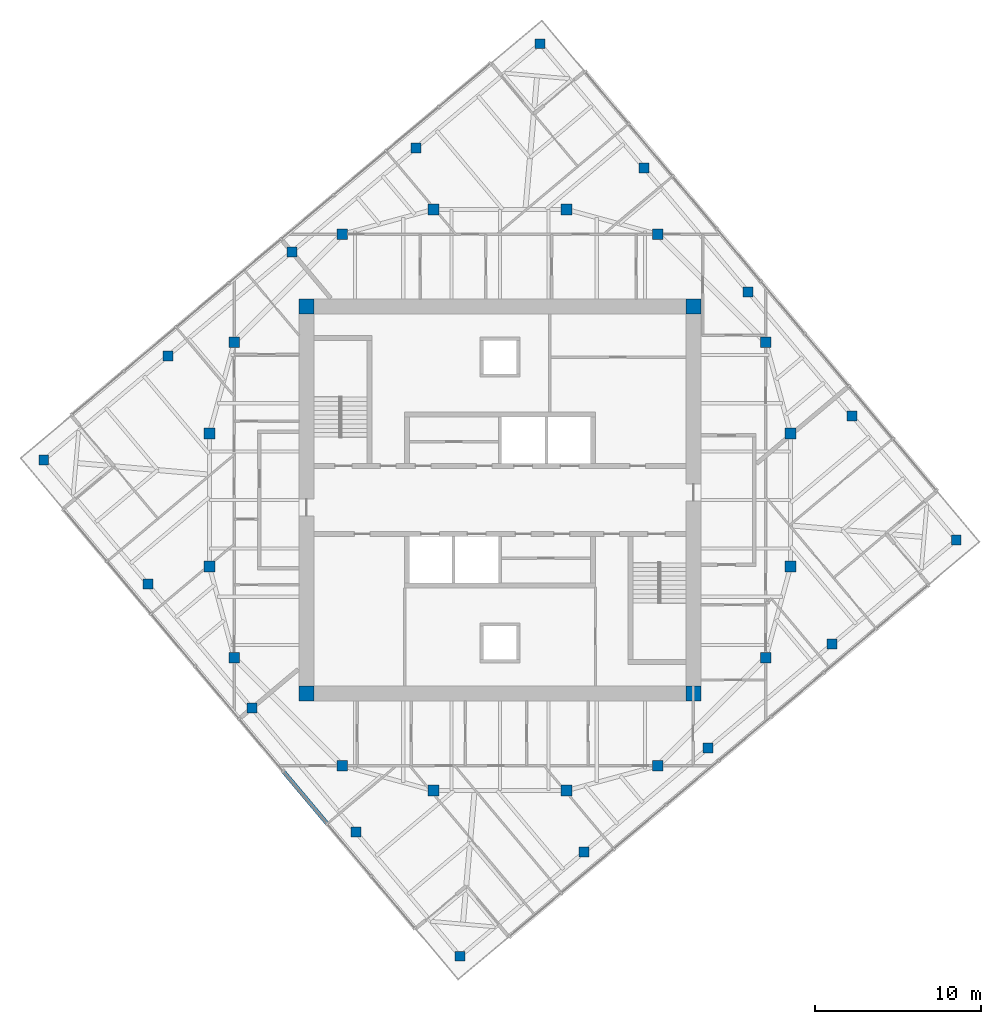
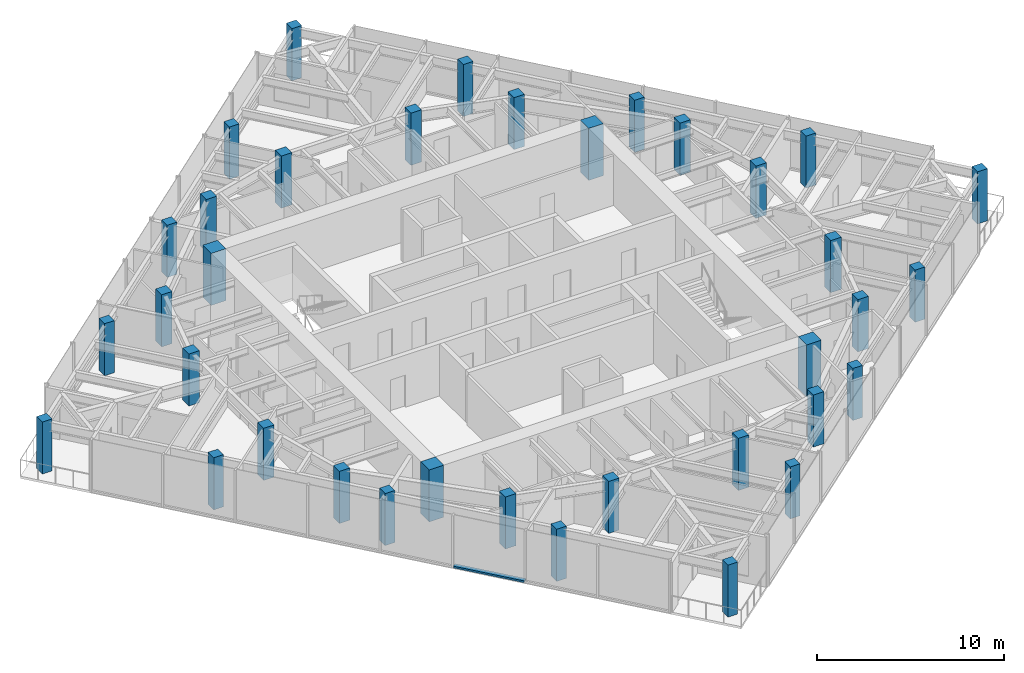
# One storey, part 1 of 12: 36 columns, 1 member, 1 element without a shape of its own.
"""IFC4 building model written with IfcOpenShell, lengths in metres."""

from ifc_helpers import new_model, si_unit, direction, frame, origin, origin_2d, place, context, subcontext, project, spatial, rectangle, extrude, material, material_profile, profile_set, type_object, element, aggregate, save


model = new_model("IFC4")

# Units and contexts
model_context = context("Model", 3, precision=1e-05, world=origin(), true_north=direction((0.0, 1.0)))
body_context = subcontext(model_context, "Body", "Model", "MODEL_VIEW")
ifc_project = project(units=[si_unit("LENGTHUNIT", "METRE"), si_unit("AREAUNIT", "SQUARE_METRE"), si_unit("VOLUMEUNIT", "CUBIC_METRE"), si_unit("PLANEANGLEUNIT", "RADIAN"), si_unit("MASSUNIT", "GRAM", prefix="KILO")], contexts=[model_context])

# Site, building, storey
site_placement = place(None, origin())
site = spatial("IfcSite", under=ifc_project, at=site_placement, CompositionType="ELEMENT")
building_placement = place(site_placement, origin())
building = spatial("IfcBuilding", under=site, at=building_placement, Name="Torsade Residences", CompositionType="ELEMENT")
storey_placement = place(building_placement, frame((0.0, 0.0, 286.199951171875)))
storey = spatial("IfcBuildingStorey", under=building, at=storey_placement, Name="L79", CompositionType="ELEMENT", Elevation=286.199951171875)

# Columns
ifc_material_1 = material(Name="Concrete 80 MPa", Category="concrete")
ifc_material_profile_1 = material_profile(ifc_material_1, rectangle(XDim=0.89990234375, YDim=0.89990234375, at=origin_2d()), Name="RC 900x900")
ifc_profile_set_1 = profile_set([ifc_material_profile_1], Name="Concrete 80 MPa")
column_type_1 = type_object("IfcColumnType", Name="CORE CORNER COLUMN RC 900x900", PredefinedType="COLUMN", material=ifc_profile_set_1)
for number, where, z_axis, x_axis, name in (
    (1, (28.35009765625, 18.35009765625, 0.0), (0.0, 0.0, 1.0), (1.0, 0.0, 0.0), "Core corner column CC1 L79"),
    (2, (51.64990234375, 18.35009765625, 0.0), (0.0, 0.0, 1.0), (1.0, 0.0, 0.0), "Core corner column CC2 L79"),
    (3, (51.64990234375, 41.64990234375, 0.0), (0.0, 0.0, 1.0), (1.0, 0.0, 0.0), "Core corner column CC3 L79"),
    (4, (28.35009765625, 41.64990234375, 0.0), (0.0, 0.0, 1.0), (1.0, 0.0, 0.0), "Core corner column CC4 L79"),
):
    element("IfcColumn", number, at=place(storey_placement, frame(where, z_axis=z_axis, x_axis=x_axis)), inside=storey, type_object=column_type_1, Name=name, PredefinedType="COLUMN", context=body_context, shape_type="SweptSolid", body=[
        extrude(rectangle(XDim=0.89990234375, YDim=0.89990234375, at=origin_2d()), origin(), (0.0, 0.0, 1.0), 3.400146484375),
    ])
ifc_material_2 = material(Name="Concrete 80 MPa", Category="concrete")
ifc_material_profile_2 = material_profile(ifc_material_2, rectangle(XDim=0.64990234375, YDim=0.64990234375, at=origin_2d()), Name="RC 650x650")
ifc_profile_set_2 = profile_set([ifc_material_profile_2], Name="Concrete 80 MPa")
column_type_2 = type_object("IfcColumnType", Name="INNER RING COLUMN RC 650x650", PredefinedType="COLUMN", material=ifc_profile_set_2)
for number, where, z_axis, x_axis, name in (
    (5, (57.5, 26.0, 0.0), (0.0, 0.0, 1.0), (1.0, 0.0, 0.0), "Inner ring column IR01 L79"),
    (6, (57.5, 34.0, 0.0), (0.0, 0.0, 1.0), (1.0, 0.0, 0.0), "Inner ring column IR02 L79"),
    (7, (56.0, 39.5, 0.0), (0.0, 0.0, 1.0), (1.0, 0.0, 0.0), "Inner ring column IR03 L79"),
    (8, (49.5, 46.0, 0.0), (0.0, 0.0, 1.0), (1.0, 0.0, 0.0), "Inner ring column IR04 L79"),
    (9, (44.0, 47.5, 0.0), (0.0, 0.0, 1.0), (1.0, 0.0, 0.0), "Inner ring column IR05 L79"),
    (10, (36.0, 47.5, 0.0), (0.0, 0.0, 1.0), (1.0, 0.0, 0.0), "Inner ring column IR06 L79"),
    (11, (30.5, 46.0, 0.0), (0.0, 0.0, 1.0), (1.0, 0.0, 0.0), "Inner ring column IR07 L79"),
    (12, (24.0, 39.5, 0.0), (0.0, 0.0, 1.0), (1.0, 0.0, 0.0), "Inner ring column IR08 L79"),
    (13, (22.5, 34.0, 0.0), (0.0, 0.0, 1.0), (1.0, 0.0, 0.0), "Inner ring column IR09 L79"),
    (14, (22.5, 26.0, 0.0), (0.0, 0.0, 1.0), (1.0, 0.0, 0.0), "Inner ring column IR10 L79"),
    (15, (24.0, 20.5, 0.0), (0.0, 0.0, 1.0), (1.0, 0.0, 0.0), "Inner ring column IR11 L79"),
    (16, (30.5, 14.0, 0.0), (0.0, 0.0, 1.0), (1.0, 0.0, 0.0), "Inner ring column IR12 L79"),
    (17, (36.0, 12.5, 0.0), (0.0, 0.0, 1.0), (1.0, 0.0, 0.0), "Inner ring column IR13 L79"),
    (18, (44.0, 12.5, 0.0), (0.0, 0.0, 1.0), (1.0, 0.0, 0.0), "Inner ring column IR14 L79"),
    (19, (49.5, 14.0, 0.0), (0.0, 0.0, 1.0), (1.0, 0.0, 0.0), "Inner ring column IR15 L79"),
    (20, (56.0, 20.5, 0.0), (0.0, 0.0, 1.0), (1.0, 0.0, 0.0), "Inner ring column IR16 L79"),
):
    element("IfcColumn", number, at=place(storey_placement, frame(where, z_axis=z_axis, x_axis=x_axis)), inside=storey, type_object=column_type_2, Name=name, PredefinedType="COLUMN", context=body_context, shape_type="SweptSolid", body=[
        extrude(rectangle(XDim=0.64990234375, YDim=0.64990234375, at=origin_2d()), origin(), (0.0, 0.0, 1.0), 3.400146484375),
    ])
ifc_material_3 = material(Name="Concrete 80 MPa", Category="concrete")
ifc_material_profile_3 = material_profile(ifc_material_3, rectangle(XDim=0.60009765625, YDim=0.60009765625, at=origin_2d()), Name="RC 600x600")
ifc_profile_set_3 = profile_set([ifc_material_profile_3], Name="Concrete 80 MPa")
column_type_3 = type_object("IfcColumnType", Name="TOWER COLUMN RC 600x600", PredefinedType="COLUMN", material=ifc_profile_set_3)
for number, where, z_axis, x_axis, name in (
    (21, (37.596435546875, 2.52783203125, 0.0), (0.0, 0.0, 1.0), (1.0, 0.0, 0.0), "Column TC9-01 L79"),
    (22, (45.0654296875, 8.794921875, 0.0), (0.0, 0.0, 1.0), (1.0, 0.0, 0.0), "Column TC9-02 L79"),
    (23, (52.534423828125, 15.06201171875, 0.0), (0.0, 0.0, 1.0), (1.0, 0.0, 0.0), "Column TC9-03 L79"),
    (24, (60.003173828125, 21.329345703125, 0.0), (0.0, 0.0, 1.0), (1.0, 0.0, 0.0), "Column TC9-04 L79"),
    (25, (67.47216796875, 27.596435546875, 0.0), (0.0, 0.0, 1.0), (1.0, 0.0, 0.0), "Column TC9-05 L79"),
    (26, (61.205078125, 35.0654296875, 0.0), (0.0, 0.0, 1.0), (1.0, 0.0, 0.0), "Column TC9-06 L79"),
    (27, (54.93798828125, 42.534423828125, 0.0), (0.0, 0.0, 1.0), (1.0, 0.0, 0.0), "Column TC9-07 L79"),
    (28, (48.670654296875, 50.003173828125, 0.0), (0.0, 0.0, 1.0), (1.0, 0.0, 0.0), "Column TC9-08 L79"),
    (29, (42.403564453125, 57.47216796875, 0.0), (0.0, 0.0, 1.0), (1.0, 0.0, 0.0), "Column TC9-09 L79"),
    (30, (34.9345703125, 51.205078125, 0.0), (0.0, 0.0, 1.0), (1.0, 0.0, 0.0), "Column TC9-10 L79"),
    (31, (27.465576171875, 44.93798828125, 0.0), (0.0, 0.0, 1.0), (1.0, 0.0, 0.0), "Column TC9-11 L79"),
    (32, (19.996826171875, 38.670654296875, 0.0), (0.0, 0.0, 1.0), (1.0, 0.0, 0.0), "Column TC9-12 L79"),
    (33, (12.52783203125, 32.403564453125, 0.0), (0.0, 0.0, 1.0), (1.0, 0.0, 0.0), "Column TC9-13 L79"),
    (34, (18.794921875, 24.9345703125, 0.0), (0.0, 0.0, 1.0), (1.0, 0.0, 0.0), "Column TC9-14 L79"),
    (35, (25.06201171875, 17.465576171875, 0.0), (0.0, 0.0, 1.0), (1.0, 0.0, 0.0), "Column TC9-15 L79"),
    (36, (31.329345703125, 9.996826171875, 0.0), (0.0, 0.0, 1.0), (1.0, 0.0, 0.0), "Column TC9-16 L79"),
):
    element("IfcColumn", number, at=place(storey_placement, frame(where, z_axis=z_axis, x_axis=x_axis)), inside=storey, type_object=column_type_3, Name=name, PredefinedType="COLUMN", context=body_context, shape_type="SweptSolid", body=[
        extrude(rectangle(XDim=0.60009765625, YDim=0.60009765625, at=origin_2d()), origin(), (0.0, 0.0, 1.0), 3.400146484375),
    ])

# Curtain wall, member
ifc_material_4 = material(Name="Aluminium and glass", Category="aluminium")
curtain_wall_type = type_object("IfcCurtainWallType", Name="FRITTED GLASS CURTAIN WALL HIGH ZONE", PredefinedType="NOTDEFINED", material=ifc_material_4)
curtain_wall_placement = place(storey_placement, origin())
curtain_wall = element("IfcCurtainWall", 37, at=curtain_wall_placement, inside=storey, type_object=curtain_wall_type, Name="Curtain wall L79 face 10", PredefinedType="NOTDEFINED")
ifc_material_5 = material(Name="Aluminium transom", Category="aluminium")
ifc_material_profile_4 = material_profile(ifc_material_5, rectangle(XDim=0.25, YDim=0.1201171875, at=origin_2d()), Name="HIGH ZONE CURTAIN WALL TRANSOM 250x120")
ifc_profile_set_4 = profile_set([ifc_material_profile_4], Name="Aluminium transom")
member_type = type_object("IfcMemberType", Name="HIGH ZONE CURTAIN WALL TRANSOM 250x120", PredefinedType="USERDEFINED", material=ifc_profile_set_4)
member_placement = place(storey_placement, frame((26.979736328125, 13.62451171875, 0.06005859375), z_axis=(0.642787992616, -0.766044121803, 0.0), x_axis=(0.766044121803, 0.642787992616, 0.0)))
member = element("IfcMember", 38, at=member_placement, type_object=member_type, Name="Transom 6.1", ObjectType="TRANSOM", PredefinedType="USERDEFINED", context=body_context, shape_type="SweptSolid", body=[
    extrude(rectangle(XDim=0.25, YDim=0.1201171875, at=origin_2d()), origin(), (0.0, 0.0, 1.0), 4.02490234375),
])
aggregate(curtain_wall, [member])

save(model, "model.ifc")
